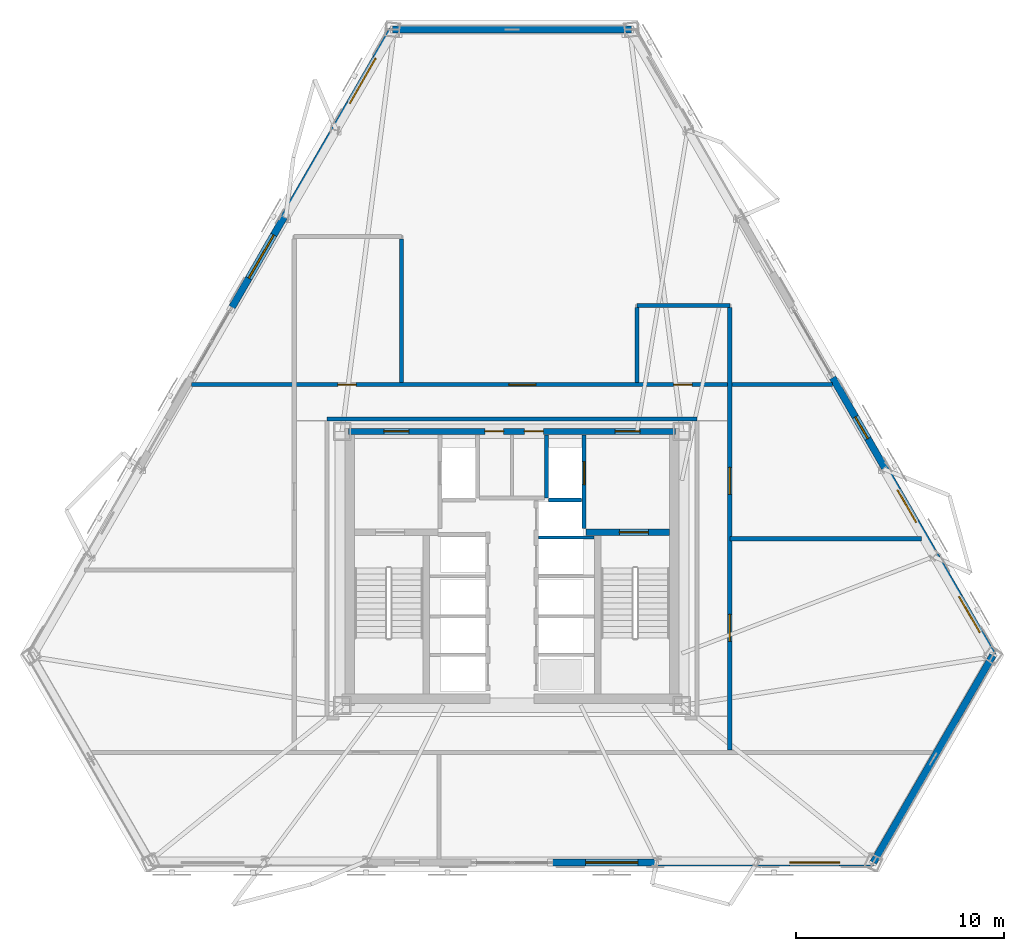
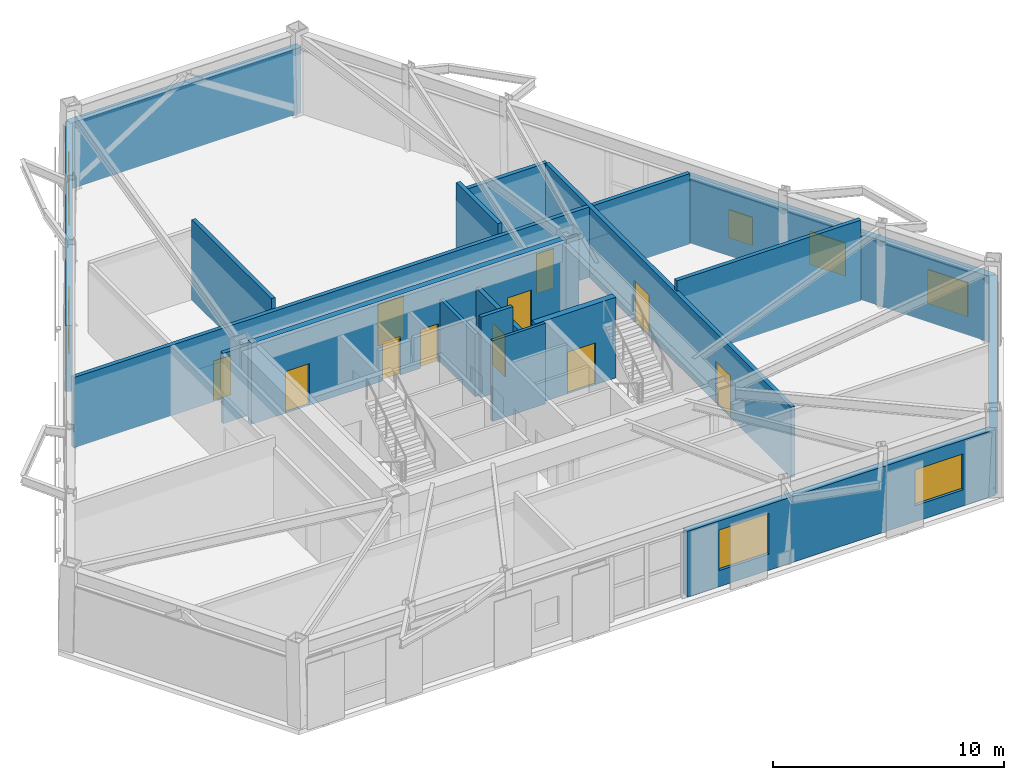
# One storey, part 9 of 14: 18 walls, 11 doors, 7 windows, 18 openings.
"""IFC4 building model written with IfcOpenShell, lengths in metres."""

from ifc_helpers import new_model, si_unit, direction, frame, frame_2d, origin, place, context, subcontext, project, spatial, rectangle, extrude, material, layer, layer_set, type_object, element, fill, save


model = new_model("IFC4")

# Units and contexts
model_context = context("Model", 3, precision=1e-05, world=origin(), true_north=direction((0.0, 1.0)))
body_context = subcontext(model_context, "Body", "Model", "MODEL_VIEW")
ifc_project = project(units=[si_unit("LENGTHUNIT", "METRE"), si_unit("AREAUNIT", "SQUARE_METRE"), si_unit("VOLUMEUNIT", "CUBIC_METRE"), si_unit("PLANEANGLEUNIT", "RADIAN"), si_unit("MASSUNIT", "GRAM", prefix="KILO")], contexts=[model_context])

# Site, building, storey
site_placement = place(None, origin())
site = spatial("IfcSite", under=ifc_project, at=site_placement, CompositionType="ELEMENT")
building_placement = place(site_placement, origin())
building = spatial("IfcBuilding", under=site, at=building_placement, Name="Oramaril Tower", CompositionType="ELEMENT")
storey_placement = place(building_placement, frame((0.0, 0.0, 107.699951171875)))
storey = spatial("IfcBuildingStorey", under=building, at=storey_placement, Name="L28", CompositionType="ELEMENT", Elevation=107.699951171875)

# Wall, openings, windows
ifc_material_1 = material(Name="Warm Cream Limestone", Category="masonry")
ifc_layer_1 = layer(ifc_material_1, 0.340087890625)
ifc_layer_set_1 = layer_set([ifc_layer_1], Name="WT-EXT34")
wall_type_1 = type_object("IfcWallType", Name="WT-EXT34", PredefinedType="SOLIDWALL", material=ifc_layer_set_1)
wall_1_placement = place(storey_placement, frame((39.449951171875, 3.45947265625, 0.0), z_axis=(0.0, 0.0, 1.0), x_axis=(1.0, 0.0, 0.0)))
wall_1 = element("IfcWall", 1, at=wall_1_placement, inside=storey, type_object=wall_type_1, Name="L28 Tower Limestone Facade Wall 2R", PredefinedType="SOLIDWALL", context=body_context, shape_type="SweptSolid", body=[
    extrude(rectangle(XDim=15.38671875, YDim=0.340087890625, at=frame_2d((7.693359375, 0.0))), origin(), (0.0, 0.0, 1.0), 3.47802734375),
])
opening_1_placement = place(wall_1_placement, frame((1.585693359375, 0.0, 0.85009765625)))
opening_1 = element("IfcOpeningElement", 2, at=opening_1_placement, cuts=wall_1, Name="Opening WN-11", PredefinedType="OPENING", context=body_context, shape_type="SweptSolid", body=[
    extrude(rectangle(XDim=2.5, YDim=2.14990234375, at=frame_2d((1.25, 1.074951171875))), frame((0.0, 0.169921875, 0.0), z_axis=(0.0, -1.0, 0.0), x_axis=(1.0, 0.0, 0.0)), (0.0, 0.0, 1.0), 0.340087890625),
])
opening_2_placement = place(wall_1_placement, frame((11.375732421875, 0.0, 0.85009765625)))
opening_2 = element("IfcOpeningElement", 3, at=opening_2_placement, cuts=wall_1, Name="Opening WN-03", PredefinedType="OPENING", context=body_context, shape_type="SweptSolid", body=[
    extrude(rectangle(XDim=2.39990234375, YDim=1.89990234375, at=frame_2d((1.199951171875, 0.949951171875))), frame((0.0, 0.169921875, 0.0), z_axis=(0.0, -1.0, 0.0), x_axis=(1.0, 0.0, 0.0)), (0.0, 0.0, 1.0), 0.340087890625),
])
ifc_material_2 = material(Name="Coastal Low-E Insulated Glass", Category="glass")
window_type_1 = type_object("IfcWindowType", Name="WNT-03", PartitioningType="SINGLE_PANEL", PredefinedType="WINDOW", material=ifc_material_2)
window_1_placement = place(opening_2_placement, origin())
window_1 = element("IfcWindow", 4, at=window_1_placement, inside=storey, type_object=window_type_1, Name="L28 Chicago Bay Window WN-03", OverallHeight=1.89990234375, OverallWidth=2.39990234375, PartitioningType="SINGLE_PANEL", PredefinedType="WINDOW", context=body_context, shape_type="SweptSolid", body=[
    extrude(rectangle(XDim=2.39990234375, YDim=1.89990234375, at=frame_2d((1.199951171875, 0.949951171875))), frame((0.0, 0.030029296875, 0.0), z_axis=(0.0, -1.0, 0.0), x_axis=(1.0, 0.0, 0.0)), (0.0, 0.0, 1.0), 0.06005859375),
])
fill(opening_2, window_1)
ifc_material_3 = material(Name="Coastal Low-E Insulated Glass", Category="glass")
window_type_2 = type_object("IfcWindowType", Name="WNT-11", PartitioningType="SINGLE_PANEL", PredefinedType="WINDOW", material=ifc_material_3)
window_2_placement = place(opening_1_placement, origin())
window_2 = element("IfcWindow", 5, at=window_2_placement, inside=storey, type_object=window_type_2, Name="L28 Chicago Bay Window WN-11", OverallHeight=2.14990234375, OverallWidth=2.5, PartitioningType="SINGLE_PANEL", PredefinedType="WINDOW", context=body_context, shape_type="SweptSolid", body=[
    extrude(rectangle(XDim=2.5, YDim=2.14990234375, at=frame_2d((1.25, 1.074951171875))), frame((0.0, 0.030029296875, 0.0), z_axis=(0.0, -1.0, 0.0), x_axis=(1.0, 0.0, 0.0)), (0.0, 0.0, 1.0), 0.06005859375),
])
fill(opening_1, window_2)

# Wall
wall_2_placement = place(storey_placement, frame((54.836669921875, 3.45947265625, 0.0), z_axis=(0.0, 0.0, 1.0), x_axis=(0.500009490851, 0.86601992417, 0.0)))
element("IfcWall", 6, at=wall_2_placement, inside=storey, type_object=wall_type_1, Name="L28 Tower Limestone Facade Wall 3M", PredefinedType="SOLIDWALL", context=body_context, shape_type="SweptSolid", body=[
    extrude(rectangle(XDim=11.485595703125, YDim=0.340087890625, at=frame_2d((5.74267578125, 0.0))), origin(), (0.0, 0.0, 1.0), 3.47802734375),
])

# Wall, openings, windows
wall_3_placement = place(storey_placement, frame((60.57958984375, 13.40625, 0.0), z_axis=(0.0, 0.0, 1.0), x_axis=(-0.499995774941, 0.86602784311, 0.0)))
wall_3 = element("IfcWall", 7, at=wall_3_placement, inside=storey, type_object=wall_type_1, Name="L28 Tower Limestone Facade Wall 4L", PredefinedType="SOLIDWALL", context=body_context, shape_type="SweptSolid", body=[
    extrude(rectangle(XDim=15.386962890625, YDim=0.340087890625, at=frame_2d((7.693359375, 0.0))), origin(), (0.0, 0.0, 1.0), 3.47802734375),
])
opening_3_placement = place(wall_3_placement, frame((1.2626953125, 0.0, 0.85009765625)))
opening_3 = element("IfcOpeningElement", 8, at=opening_3_placement, cuts=wall_3, Name="Opening WN-05", PredefinedType="OPENING", context=body_context, shape_type="SweptSolid", body=[
    extrude(rectangle(XDim=2.0, YDim=1.800048828125, at=frame_2d((1.0, 0.89990234375))), frame((0.0, 0.169921875, 0.0), z_axis=(0.0, -1.0, 0.0), x_axis=(1.0, 0.0, 0.0)), (0.0, 0.0, 1.0), 0.340087890625),
])
opening_4_placement = place(wall_3_placement, frame((7.365478515625, 0.0, 0.85009765625)))
opening_4 = element("IfcOpeningElement", 9, at=opening_4_placement, cuts=wall_3, Name="Opening WN-06", PredefinedType="OPENING", context=body_context, shape_type="SweptSolid", body=[
    extrude(rectangle(XDim=1.800048828125, YDim=1.75, at=frame_2d((0.89990234375, 0.875))), frame((0.0, 0.169921875, 0.0), z_axis=(0.0, -1.0, 0.0), x_axis=(1.0, 0.0, 0.0)), (0.0, 0.0, 1.0), 0.340087890625),
])
opening_5_placement = place(wall_3_placement, frame((12.00830078125, 0.0, 0.85009765625)))
opening_5 = element("IfcOpeningElement", 10, at=opening_5_placement, cuts=wall_3, Name="Opening WN-09", PredefinedType="OPENING", context=body_context, shape_type="SweptSolid", body=[
    extrude(rectangle(XDim=1.199951171875, YDim=1.47998046875, at=frame_2d((0.60009765625, 0.739990234375))), frame((0.0, 0.169921875, 0.0), z_axis=(0.0, -1.0, 0.0), x_axis=(1.0, 0.0, 0.0)), (0.0, 0.0, 1.0), 0.340087890625),
])
ifc_material_4 = material(Name="Coastal Low-E Insulated Glass", Category="glass")
window_type_3 = type_object("IfcWindowType", Name="WNT-05", PartitioningType="SINGLE_PANEL", PredefinedType="WINDOW", material=ifc_material_4)
window_3_placement = place(opening_3_placement, origin())
window_3 = element("IfcWindow", 11, at=window_3_placement, inside=storey, type_object=window_type_3, Name="L28 Chicago Bay Window WN-05", OverallHeight=1.800048828125, OverallWidth=2.0, PartitioningType="SINGLE_PANEL", PredefinedType="WINDOW", context=body_context, shape_type="SweptSolid", body=[
    extrude(rectangle(XDim=2.0, YDim=1.800048828125, at=frame_2d((1.0, 0.89990234375))), frame((0.0, 0.030029296875, 0.0), z_axis=(0.0, -1.0, 0.0), x_axis=(1.0, 0.0, 0.0)), (0.0, 0.0, 1.0), 0.06005859375),
])
fill(opening_3, window_3)
ifc_material_5 = material(Name="Coastal Low-E Insulated Glass", Category="glass")
window_type_4 = type_object("IfcWindowType", Name="WNT-06", PartitioningType="SINGLE_PANEL", PredefinedType="WINDOW", material=ifc_material_5)
window_4_placement = place(opening_4_placement, origin())
window_4 = element("IfcWindow", 12, at=window_4_placement, inside=storey, type_object=window_type_4, Name="L28 Chicago Bay Window WN-06", OverallHeight=1.75, OverallWidth=1.800048828125, PartitioningType="SINGLE_PANEL", PredefinedType="WINDOW", context=body_context, shape_type="SweptSolid", body=[
    extrude(rectangle(XDim=1.800048828125, YDim=1.75, at=frame_2d((0.89990234375, 0.875))), frame((0.0, 0.030029296875, 0.0), z_axis=(0.0, -1.0, 0.0), x_axis=(1.0, 0.0, 0.0)), (0.0, 0.0, 1.0), 0.06005859375),
])
fill(opening_4, window_4)
ifc_material_6 = material(Name="Coastal Low-E Insulated Glass", Category="glass")
window_type_5 = type_object("IfcWindowType", Name="WNT-09", PartitioningType="SINGLE_PANEL", PredefinedType="WINDOW", material=ifc_material_6)
window_5_placement = place(opening_5_placement, origin())
window_5 = element("IfcWindow", 13, at=window_5_placement, inside=storey, type_object=window_type_5, Name="L28 Chicago Bay Window WN-09", OverallHeight=1.47998046875, OverallWidth=1.199951171875, PartitioningType="SINGLE_PANEL", PredefinedType="WINDOW", context=body_context, shape_type="SweptSolid", body=[
    extrude(rectangle(XDim=1.199951171875, YDim=1.47998046875, at=frame_2d((0.60009765625, 0.739990234375))), frame((0.0, 0.030029296875, 0.0), z_axis=(0.0, -1.0, 0.0), x_axis=(1.0, 0.0, 0.0)), (0.0, 0.0, 1.0), 0.06005859375),
])
fill(opening_5, window_5)

# Wall
wall_4_placement = place(storey_placement, frame((43.242919921875, 43.434326171875, 0.0), z_axis=(0.0, 0.0, 1.0), x_axis=(-1.0, 0.0, 0.0)))
element("IfcWall", 14, at=wall_4_placement, inside=storey, type_object=wall_type_1, Name="L28 Tower Limestone Facade Wall 5M", PredefinedType="SOLIDWALL", context=body_context, shape_type="SweptSolid", body=[
    extrude(rectangle(XDim=11.48583984375, YDim=0.340087890625, at=frame_2d((5.742919921875, 0.0))), origin(), (0.0, 0.0, 1.0), 3.47802734375),
])

# Wall, openings, windows
wall_5_placement = place(storey_placement, frame((31.757080078125, 43.434326171875, 0.0), z_axis=(0.0, 0.0, 1.0), x_axis=(-0.499995774941, -0.86602784311, 0.0)))
wall_5 = element("IfcWall", 15, at=wall_5_placement, inside=storey, type_object=wall_type_1, Name="L28 Tower Limestone Facade Wall 6L", PredefinedType="SOLIDWALL", context=body_context, shape_type="SweptSolid", body=[
    extrude(rectangle(XDim=15.386962890625, YDim=0.340087890625, at=frame_2d((7.693359375, 0.0))), origin(), (0.0, 0.0, 1.0), 3.47802734375),
])
opening_6_placement = place(wall_5_placement, frame((1.585693359375, 0.0, 0.85009765625)))
opening_6 = element("IfcOpeningElement", 16, at=opening_6_placement, cuts=wall_5, Name="Opening WN-11", PredefinedType="OPENING", context=body_context, shape_type="SweptSolid", body=[
    extrude(rectangle(XDim=2.5, YDim=2.14990234375, at=frame_2d((1.25, 1.074951171875))), frame((0.0, 0.169921875, 0.0), z_axis=(0.0, -1.0, 0.0), x_axis=(1.0, 0.0, 0.0)), (0.0, 0.0, 1.0), 0.340087890625),
])
opening_7_placement = place(wall_5_placement, frame((11.3759765625, 0.0, 0.85009765625)))
opening_7 = element("IfcOpeningElement", 17, at=opening_7_placement, cuts=wall_5, Name="Opening WN-03", PredefinedType="OPENING", context=body_context, shape_type="SweptSolid", body=[
    extrude(rectangle(XDim=2.39990234375, YDim=1.89990234375, at=frame_2d((1.199951171875, 0.949951171875))), frame((0.0, 0.169921875, 0.0), z_axis=(0.0, -1.0, 0.0), x_axis=(1.0, 0.0, 0.0)), (0.0, 0.0, 1.0), 0.340087890625),
])
window_6_placement = place(opening_7_placement, origin())
window_6 = element("IfcWindow", 18, at=window_6_placement, inside=storey, type_object=window_type_1, Name="L28 Chicago Bay Window WN-03", OverallHeight=1.89990234375, OverallWidth=2.39990234375, PartitioningType="SINGLE_PANEL", PredefinedType="WINDOW", context=body_context, shape_type="SweptSolid", body=[
    extrude(rectangle(XDim=2.39990234375, YDim=1.89990234375, at=frame_2d((1.199951171875, 0.949951171875))), frame((0.0, 0.030029296875, 0.0), z_axis=(0.0, -1.0, 0.0), x_axis=(1.0, 0.0, 0.0)), (0.0, 0.0, 1.0), 0.06005859375),
])
fill(opening_7, window_6)
window_7_placement = place(opening_6_placement, origin())
window_7 = element("IfcWindow", 19, at=window_7_placement, inside=storey, type_object=window_type_2, Name="L28 Chicago Bay Window WN-11", OverallHeight=2.14990234375, OverallWidth=2.5, PartitioningType="SINGLE_PANEL", PredefinedType="WINDOW", context=body_context, shape_type="SweptSolid", body=[
    extrude(rectangle(XDim=2.5, YDim=2.14990234375, at=frame_2d((1.25, 1.074951171875))), frame((0.0, 0.030029296875, 0.0), z_axis=(0.0, -1.0, 0.0), x_axis=(1.0, 0.0, 0.0)), (0.0, 0.0, 1.0), 0.06005859375),
])
fill(opening_6, window_7)

# Walls
ifc_material_7 = material(Name="Acoustic Gypsum Board Partition")
ifc_layer_2 = layer(ifc_material_7, 0.139892578125)
ifc_layer_set_2 = layer_set([ifc_layer_2], Name="WT-PT14")
wall_type_2 = type_object("IfcWallType", Name="WT-PT14", PredefinedType="PARTITIONING", material=ifc_layer_set_2)
wall_6_placement = place(storey_placement, frame((38.780029296875, 19.050048828125, 0.0), z_axis=(0.0, 0.0, 1.0), x_axis=(1.0, 0.0, 0.0)))
element("IfcWall", 20, at=wall_6_placement, inside=storey, type_object=wall_type_2, Name="L28 East Lift Divider", PredefinedType="PARTITIONING", context=body_context, shape_type="SweptSolid", body=[
    extrude(rectangle(XDim=2.659912109375, YDim=0.139892578125, at=frame_2d((1.330078125, 0.0))), origin(), (0.0, 0.0, 1.0), 4.260009765625),
])
ifc_material_8 = material(Name="Autoclaved Cellular Concrete Block", Category="concrete")
ifc_layer_3 = layer(ifc_material_8, 0.179931640625)
ifc_layer_set_3 = layer_set([ifc_layer_3], Name="WT-PT18")
wall_type_3 = type_object("IfcWallType", Name="WT-PT18", PredefinedType="PARTITIONING", material=ifc_layer_set_3)
wall_7_placement = place(storey_placement, frame((39.159912109375, 20.9599609375, 0.0), z_axis=(0.0, 0.0, 1.0), x_axis=(0.0, 1.0, 0.0)))
element("IfcWall", 21, at=wall_7_placement, inside=storey, type_object=wall_type_3, Name="L28 FL-2 West Shaft Wall", PredefinedType="PARTITIONING", context=body_context, shape_type="SweptSolid", body=[
    extrude(rectangle(XDim=3.02001953125, YDim=0.179931640625, at=frame_2d((1.510009765625, 0.0))), origin(), (0.0, 0.0, 1.0), 3.300048828125),
])
wall_8_placement = place(storey_placement, frame((39.260009765625, 20.860107421875, 0.0), z_axis=(0.0, 0.0, 1.0), x_axis=(1.0, 0.0, 0.0)))
element("IfcWall", 22, at=wall_8_placement, inside=storey, type_object=wall_type_3, Name="L28 FL-2 South Shaft Wall", PredefinedType="PARTITIONING", context=body_context, shape_type="SweptSolid", body=[
    extrude(rectangle(XDim=1.580078125, YDim=0.179931640625, at=frame_2d((0.7900390625, 0.0))), origin(), (0.0, 0.0, 1.0), 4.260009765625),
])
ifc_material_9 = material(Name="Autoclaved Cellular Concrete Block", Category="concrete")
ifc_layer_4 = layer(ifc_material_9, 0.199951171875)
ifc_layer_set_4 = layer_set([ifc_layer_4], Name="WT-PT20")
wall_type_4 = type_object("IfcWallType", Name="WT-PT20", PredefinedType="PARTITIONING", material=ifc_layer_set_4)
wall_9_placement = place(storey_placement, frame((47.949951171875, 19.0, 0.0), z_axis=(0.0, 0.0, 1.0), x_axis=(1.0, 0.0, 0.0)))
element("IfcWall", 23, at=wall_9_placement, inside=storey, type_object=wall_type_4, Name="L28 Interior Partition PT-20", PredefinedType="PARTITIONING", context=body_context, shape_type="SweptSolid", body=[
    extrude(rectangle(XDim=9.19921875, YDim=0.199951171875, at=frame_2d((4.599609375, 0.0))), origin(), (0.0, 0.0, 1.0), 4.260009765625),
])
wall_10_placement = place(storey_placement, frame((28.6201171875, 24.75, 0.0), z_axis=(0.0, 0.0, 1.0), x_axis=(1.0, 0.0, 0.0)))
element("IfcWall", 24, at=wall_10_placement, inside=storey, type_object=wall_type_4, Name="L28 Interior Partition PT-20", PredefinedType="PARTITIONING", context=body_context, shape_type="SweptSolid", body=[
    extrude(rectangle(XDim=17.759765625, YDim=0.199951171875, at=frame_2d((8.8798828125, 0.0))), origin(), (0.0, 0.0, 1.0), 3.714111328125),
])

# Wall, openings, doors
wall_11_placement = place(storey_placement, frame((22.123291015625, 26.39990234375, 0.0), z_axis=(0.0, 0.0, 1.0), x_axis=(1.0, 0.0, 0.0)))
wall_11 = element("IfcWall", 25, at=wall_11_placement, inside=storey, type_object=wall_type_4, Name="L28 Interior Partition PT-20", PredefinedType="PARTITIONING", context=body_context, shape_type="SweptSolid", body=[
    extrude(rectangle(XDim=30.75341796875, YDim=0.199951171875, at=frame_2d((15.376708984375, 0.0))), origin(), (0.0, 0.0, 1.0), 3.714111328125),
])
opening_8_placement = place(wall_11_placement, frame((7.01513671875, 0.0, 0.0)))
opening_8 = element("IfcOpeningElement", 26, at=opening_8_placement, cuts=wall_11, Name="Opening D-L28-03", PredefinedType="OPENING", context=body_context, shape_type="SweptSolid", body=[
    extrude(rectangle(XDim=0.8798828125, YDim=2.080078125, at=frame_2d((0.43994140625, 1.0400390625))), frame((0.0, 0.10009765625, 0.0), z_axis=(0.0, -1.0, 0.0), x_axis=(1.0, 0.0, 0.0)), (0.0, 0.0, 1.0), 0.199951171875),
])
opening_9_placement = place(wall_11_placement, frame((15.2255859375, 0.0, 0.0)))
opening_9 = element("IfcOpeningElement", 27, at=opening_9_placement, cuts=wall_11, Name="Opening D-L28-04", PredefinedType="OPENING", context=body_context, shape_type="SweptSolid", body=[
    extrude(rectangle(XDim=1.300048828125, YDim=2.199951171875, at=frame_2d((0.64990234375, 1.10009765625))), frame((0.0, 0.10009765625, 0.0), z_axis=(0.0, -1.0, 0.0), x_axis=(1.0, 0.0, 0.0)), (0.0, 0.0, 1.0), 0.199951171875),
])
opening_10_placement = place(wall_11_placement, frame((23.1357421875, 0.0, 0.0)))
opening_10 = element("IfcOpeningElement", 28, at=opening_10_placement, cuts=wall_11, Name="Opening D-L28-05", PredefinedType="OPENING", context=body_context, shape_type="SweptSolid", body=[
    extrude(rectangle(XDim=0.8798828125, YDim=2.080078125, at=frame_2d((0.43994140625, 1.0400390625))), frame((0.0, 0.10009765625, 0.0), z_axis=(0.0, -1.0, 0.0), x_axis=(1.0, 0.0, 0.0)), (0.0, 0.0, 1.0), 0.199951171875),
])
ifc_material_10 = material(Name="FSC Brazilian Freijo Hardwood", Category="wood")
door_type_1 = type_object("IfcDoorType", Name="DT-BATH", OperationType="NOTDEFINED", PredefinedType="DOOR", material=ifc_material_10)
door_1_placement = place(opening_8_placement, origin())
door_1 = element("IfcDoor", 29, at=door_1_placement, inside=storey, type_object=door_type_1, Name="L28 L28 Sky Male WC Door D-L28-03", OperationType="SINGLE_SWING_LEFT", OverallHeight=2.080078125, OverallWidth=0.8798828125, PredefinedType="DOOR", context=body_context, shape_type="SweptSolid", body=[
    extrude(rectangle(XDim=0.8798828125, YDim=2.080078125, at=frame_2d((0.43994140625, 1.0400390625))), frame((0.0, 0.02490234375, 0.0), z_axis=(0.0, -1.0, 0.0), x_axis=(1.0, 0.0, 0.0)), (0.0, 0.0, 1.0), 0.050048828125),
])
fill(opening_8, door_1)
door_2_placement = place(opening_10_placement, origin())
door_2 = element("IfcDoor", 30, at=door_2_placement, inside=storey, type_object=door_type_1, Name="L28 L28 Sky Accessible WC Door D-L28-05", OperationType="SINGLE_SWING_LEFT", OverallHeight=2.080078125, OverallWidth=0.8798828125, PredefinedType="DOOR", context=body_context, shape_type="SweptSolid", body=[
    extrude(rectangle(XDim=0.8798828125, YDim=2.080078125, at=frame_2d((0.43994140625, 1.0400390625))), frame((0.0, 0.02490234375, 0.0), z_axis=(0.0, -1.0, 0.0), x_axis=(1.0, 0.0, 0.0)), (0.0, 0.0, 1.0), 0.050048828125),
])
fill(opening_10, door_2)
ifc_material_11 = material(Name="FSC Brazilian Freijo Hardwood", Category="wood")
door_type_2 = type_object("IfcDoorType", Name="DT-COM", OperationType="NOTDEFINED", PredefinedType="DOOR", material=ifc_material_11)
door_3_placement = place(opening_9_placement, origin())
door_3 = element("IfcDoor", 31, at=door_3_placement, inside=storey, type_object=door_type_2, Name="L28 L28 Botanical Sky Conservatory Gallery Door D-L28-04", OperationType="SINGLE_SWING_RIGHT", OverallHeight=2.199951171875, OverallWidth=1.300048828125, PredefinedType="DOOR", context=body_context, shape_type="SweptSolid", body=[
    extrude(rectangle(XDim=1.300048828125, YDim=2.199951171875, at=frame_2d((0.64990234375, 1.10009765625))), frame((0.0, 0.02490234375, 0.0), z_axis=(0.0, -1.0, 0.0), x_axis=(1.0, 0.0, 0.0)), (0.0, 0.0, 1.0), 0.050048828125),
])
fill(opening_9, door_3)

# Walls
wall_12_placement = place(storey_placement, frame((43.5, 30.199951171875, 0.0), z_axis=(0.0, 0.0, 1.0), x_axis=(1.0, 0.0, 0.0)))
element("IfcWall", 32, at=wall_12_placement, inside=storey, type_object=wall_type_4, Name="L28 Interior Partition PT-20", PredefinedType="PARTITIONING", context=body_context, shape_type="SweptSolid", body=[
    extrude(rectangle(XDim=4.449951171875, YDim=0.199951171875, at=frame_2d((2.22509765625, 0.0))), origin(), (0.0, 0.0, 1.0), 3.714111328125),
])
wall_13_placement = place(storey_placement, frame((32.199951171875, 26.50390625, 0.0), z_axis=(0.0, 0.0, 1.0), x_axis=(0.0, 1.0, 0.0)))
element("IfcWall", 33, at=wall_13_placement, inside=storey, type_object=wall_type_4, Name="L28 Interior Partition PT-20", PredefinedType="PARTITIONING", context=body_context, shape_type="SweptSolid", body=[
    extrude(rectangle(XDim=6.89208984375, YDim=0.199951171875, at=frame_2d((3.446044921875, 0.0))), origin(), (0.0, 0.0, 1.0), 4.260009765625),
])
wall_14_placement = place(storey_placement, frame((43.5, 26.50390625, 0.0), z_axis=(0.0, 0.0, 1.0), x_axis=(0.0, 1.0, 0.0)))
element("IfcWall", 34, at=wall_14_placement, inside=storey, type_object=wall_type_4, Name="L28 Interior Partition PT-20", PredefinedType="PARTITIONING", context=body_context, shape_type="SweptSolid", body=[
    extrude(rectangle(XDim=3.592041015625, YDim=0.199951171875, at=frame_2d((1.7958984375, 0.0))), origin(), (0.0, 0.0, 1.0), 4.260009765625),
])

# Wall, openings, doors
wall_15_placement = place(storey_placement, frame((47.949951171875, 8.85400390625, 0.0), z_axis=(0.0, 0.0, 1.0), x_axis=(0.0, 1.0, 0.0)))
wall_15 = element("IfcWall", 35, at=wall_15_placement, inside=storey, type_object=wall_type_4, Name="L28 Interior Partition PT-20", PredefinedType="PARTITIONING", context=body_context, shape_type="SweptSolid", body=[
    extrude(rectangle(XDim=21.241943359375, YDim=0.199951171875, at=frame_2d((10.62109375, 0.0))), origin(), (0.0, 0.0, 1.0), 3.714111328125),
])
opening_11_placement = place(wall_15_placement, frame((5.221923828125, 0.0, 0.0)))
opening_11 = element("IfcOpeningElement", 36, at=opening_11_placement, cuts=wall_15, Name="Opening D-L28-08", PredefinedType="OPENING", context=body_context, shape_type="SweptSolid", body=[
    extrude(rectangle(XDim=1.300048828125, YDim=2.199951171875, at=frame_2d((0.64990234375, 1.10009765625))), frame((0.0, 0.10009765625, 0.0), z_axis=(0.0, -1.0, 0.0), x_axis=(1.0, 0.0, 0.0)), (0.0, 0.0, 1.0), 0.199951171875),
])
opening_12_placement = place(wall_15_placement, frame((12.272216796875, 0.0, 0.0)))
opening_12 = element("IfcOpeningElement", 37, at=opening_12_placement, cuts=wall_15, Name="Opening D-L28-09", PredefinedType="OPENING", context=body_context, shape_type="SweptSolid", body=[
    extrude(rectangle(XDim=1.300048828125, YDim=2.199951171875, at=frame_2d((0.64990234375, 1.10009765625))), frame((0.0, 0.10009765625, 0.0), z_axis=(0.0, -1.0, 0.0), x_axis=(1.0, 0.0, 0.0)), (0.0, 0.0, 1.0), 0.199951171875),
])
door_4_placement = place(opening_11_placement, origin())
door_4 = element("IfcDoor", 38, at=door_4_placement, inside=storey, type_object=door_type_2, Name="L28 L28 Sky Boardroom Meeting Suite Door D-L28-08", OperationType="SINGLE_SWING_RIGHT", OverallHeight=2.199951171875, OverallWidth=1.300048828125, PredefinedType="DOOR", context=body_context, shape_type="SweptSolid", body=[
    extrude(rectangle(XDim=1.300048828125, YDim=2.199951171875, at=frame_2d((0.64990234375, 1.10009765625))), frame((0.0, 0.02490234375, 0.0), z_axis=(0.0, -1.0, 0.0), x_axis=(1.0, 0.0, 0.0)), (0.0, 0.0, 1.0), 0.050048828125),
])
fill(opening_11, door_4)
door_5_placement = place(opening_12_placement, origin())
door_5 = element("IfcDoor", 39, at=door_5_placement, inside=storey, type_object=door_type_2, Name="L28 L28 Sky Co-Working Salon Door D-L28-09", OperationType="SINGLE_SWING_LEFT", OverallHeight=2.199951171875, OverallWidth=1.300048828125, PredefinedType="DOOR", context=body_context, shape_type="SweptSolid", body=[
    extrude(rectangle(XDim=1.300048828125, YDim=2.199951171875, at=frame_2d((0.64990234375, 1.10009765625))), frame((0.0, 0.02490234375, 0.0), z_axis=(0.0, -1.0, 0.0), x_axis=(1.0, 0.0, 0.0)), (0.0, 0.0, 1.0), 0.050048828125),
])
fill(opening_12, door_5)

ifc_material_12 = material(Name="Concrete C50/60", Category="concrete")
ifc_layer_5 = layer(ifc_material_12, 0.300048828125)
ifc_layer_set_5 = layer_set([ifc_layer_5], Name="WT-SH30")
wall_type_5 = type_object("IfcWallType", Name="WT-SH30", PredefinedType="SHEAR", material=ifc_layer_set_5)
wall_16_placement = place(storey_placement, frame((29.64990234375, 24.14990234375, 0.0), z_axis=(0.0, 0.0, 1.0), x_axis=(1.0, 0.0, 0.0)))
wall_16 = element("IfcWall", 40, at=wall_16_placement, inside=storey, type_object=wall_type_5, Name="L28 Core Shear Wall CW-N", PredefinedType="SHEAR", context=body_context, shape_type="SweptSolid", body=[
    extrude(rectangle(XDim=15.7001953125, YDim=0.300048828125, at=frame_2d((7.85009765625, 0.0))), origin(), (0.0, 0.0, 1.0), 4.260009765625),
])
opening_13_placement = place(wall_16_placement, frame((1.699951171875, 0.0, 0.0)))
opening_13 = element("IfcOpeningElement", 41, at=opening_13_placement, cuts=wall_16, Name="Opening D-L28-FFL1", PredefinedType="OPENING", context=body_context, shape_type="SweptSolid", body=[
    extrude(rectangle(XDim=1.199951171875, YDim=2.199951171875, at=frame_2d((0.60009765625, 1.10009765625))), frame((0.0, 0.14990234375, 0.0), z_axis=(0.0, -1.0, 0.0), x_axis=(1.0, 0.0, 0.0)), (0.0, 0.0, 1.0), 0.300048828125),
])
opening_14_placement = place(wall_16_placement, frame((12.800048828125, 0.0, 0.0)))
opening_14 = element("IfcOpeningElement", 42, at=opening_14_placement, cuts=wall_16, Name="Opening D-L28-FFL2", PredefinedType="OPENING", context=body_context, shape_type="SweptSolid", body=[
    extrude(rectangle(XDim=1.199951171875, YDim=2.199951171875, at=frame_2d((0.60009765625, 1.10009765625))), frame((0.0, 0.14990234375, 0.0), z_axis=(0.0, -1.0, 0.0), x_axis=(1.0, 0.0, 0.0)), (0.0, 0.0, 1.0), 0.300048828125),
])
opening_15_placement = place(wall_16_placement, frame((6.550048828125, 0.0, 0.0)))
opening_15 = element("IfcOpeningElement", 43, at=opening_15_placement, cuts=wall_16, Name="Opening D-L28-SV1", PredefinedType="OPENING", context=body_context, shape_type="SweptSolid", body=[
    extrude(rectangle(XDim=0.89990234375, YDim=2.050048828125, at=frame_2d((0.449951171875, 1.02490234375))), frame((0.0, 0.14990234375, 0.0), z_axis=(0.0, -1.0, 0.0), x_axis=(1.0, 0.0, 0.0)), (0.0, 0.0, 1.0), 0.300048828125),
])
opening_16_placement = place(wall_16_placement, frame((8.449951171875, 0.0, 0.0)))
opening_16 = element("IfcOpeningElement", 44, at=opening_16_placement, cuts=wall_16, Name="Opening D-L28-SV2", PredefinedType="OPENING", context=body_context, shape_type="SweptSolid", body=[
    extrude(rectangle(XDim=0.89990234375, YDim=2.050048828125, at=frame_2d((0.449951171875, 1.02490234375))), frame((0.0, 0.14990234375, 0.0), z_axis=(0.0, -1.0, 0.0), x_axis=(1.0, 0.0, 0.0)), (0.0, 0.0, 1.0), 0.300048828125),
])
ifc_material_13 = material(Name="Painted Galvanised Steel", Category="steel")
door_type_3 = type_object("IfcDoorType", Name="DT-FFL", OperationType="NOTDEFINED", PredefinedType="DOOR", material=ifc_material_13)
door_6_placement = place(opening_13_placement, origin())
door_6 = element("IfcDoor", 45, at=door_6_placement, inside=storey, type_object=door_type_3, Name="L28 Firefighting Lobby 1 Fire Door", OperationType="SINGLE_SWING_LEFT", OverallHeight=2.199951171875, OverallWidth=1.199951171875, PredefinedType="DOOR", context=body_context, shape_type="SweptSolid", body=[
    extrude(rectangle(XDim=1.199951171875, YDim=2.199951171875, at=frame_2d((0.60009765625, 1.10009765625))), frame((0.0, 0.02490234375, 0.0), z_axis=(0.0, -1.0, 0.0), x_axis=(1.0, 0.0, 0.0)), (0.0, 0.0, 1.0), 0.050048828125),
])
fill(opening_13, door_6)
door_7_placement = place(opening_14_placement, origin())
door_7 = element("IfcDoor", 46, at=door_7_placement, inside=storey, type_object=door_type_3, Name="L28 Firefighting Lobby 2 Fire Door", OperationType="SINGLE_SWING_RIGHT", OverallHeight=2.199951171875, OverallWidth=1.199951171875, PredefinedType="DOOR", context=body_context, shape_type="SweptSolid", body=[
    extrude(rectangle(XDim=1.199951171875, YDim=2.199951171875, at=frame_2d((0.60009765625, 1.10009765625))), frame((0.0, 0.02490234375, 0.0), z_axis=(0.0, -1.0, 0.0), x_axis=(1.0, 0.0, 0.0)), (0.0, 0.0, 1.0), 0.050048828125),
])
fill(opening_14, door_7)
ifc_material_14 = material(Name="Painted Galvanised Steel", Category="steel")
door_type_4 = type_object("IfcDoorType", Name="DT-SVC", OperationType="NOTDEFINED", PredefinedType="DOOR", material=ifc_material_14)
door_8_placement = place(opening_15_placement, origin())
door_8 = element("IfcDoor", 47, at=door_8_placement, inside=storey, type_object=door_type_4, Name="L28 Core Service Store 1 Door", OperationType="SINGLE_SWING_LEFT", OverallHeight=2.050048828125, OverallWidth=0.89990234375, PredefinedType="DOOR", context=body_context, shape_type="SweptSolid", body=[
    extrude(rectangle(XDim=0.89990234375, YDim=2.050048828125, at=frame_2d((0.449951171875, 1.02490234375))), frame((0.0, 0.02490234375, 0.0), z_axis=(0.0, -1.0, 0.0), x_axis=(1.0, 0.0, 0.0)), (0.0, 0.0, 1.0), 0.050048828125),
])
fill(opening_15, door_8)
door_9_placement = place(opening_16_placement, origin())
door_9 = element("IfcDoor", 48, at=door_9_placement, inside=storey, type_object=door_type_4, Name="L28 Core Service Store 2 Door", OperationType="SINGLE_SWING_RIGHT", OverallHeight=2.050048828125, OverallWidth=0.89990234375, PredefinedType="DOOR", context=body_context, shape_type="SweptSolid", body=[
    extrude(rectangle(XDim=0.89990234375, YDim=2.050048828125, at=frame_2d((0.449951171875, 1.02490234375))), frame((0.0, 0.02490234375, 0.0), z_axis=(0.0, -1.0, 0.0), x_axis=(1.0, 0.0, 0.0)), (0.0, 0.0, 1.0), 0.050048828125),
])
fill(opening_16, door_9)

# Wall, opening, door
wall_17_placement = place(storey_placement, frame((41.050048828125, 19.31005859375, 0.0), z_axis=(0.0, 0.0, 1.0), x_axis=(1.0, 0.0, 0.0)))
wall_17 = element("IfcWall", 49, at=wall_17_placement, inside=storey, type_object=wall_type_5, Name="L28 Core Shear Wall CW-ST2N", PredefinedType="SHEAR", context=body_context, shape_type="SweptSolid", body=[
    extrude(rectangle(XDim=4.010009765625, YDim=0.300048828125, at=frame_2d((2.0048828125, 0.0))), origin(), (0.0, 0.0, 1.0), 4.260009765625),
])
opening_17_placement = place(wall_17_placement, frame((1.60009765625, 0.0, 0.0)))
opening_17 = element("IfcOpeningElement", 50, at=opening_17_placement, cuts=wall_17, Name="Opening D-L28-ST2", PredefinedType="OPENING", context=body_context, shape_type="SweptSolid", body=[
    extrude(rectangle(XDim=1.39990234375, YDim=2.199951171875, at=frame_2d((0.699951171875, 1.10009765625))), frame((0.0, 0.14990234375, 0.0), z_axis=(0.0, -1.0, 0.0), x_axis=(1.0, 0.0, 0.0)), (0.0, 0.0, 1.0), 0.300048828125),
])
ifc_material_15 = material(Name="Painted Galvanised Steel", Category="steel")
door_type_5 = type_object("IfcDoorType", Name="DT-ST", OperationType="NOTDEFINED", PredefinedType="DOOR", material=ifc_material_15)
door_10_placement = place(opening_17_placement, origin())
door_10 = element("IfcDoor", 51, at=door_10_placement, inside=storey, type_object=door_type_5, Name="L28 Protected Stair ST-2 Fire Door", OperationType="SINGLE_SWING_RIGHT", OverallHeight=2.199951171875, OverallWidth=1.39990234375, PredefinedType="DOOR", context=body_context, shape_type="SweptSolid", body=[
    extrude(rectangle(XDim=1.39990234375, YDim=2.199951171875, at=frame_2d((0.699951171875, 1.10009765625))), frame((0.0, 0.02490234375, 0.0), z_axis=(0.0, -1.0, 0.0), x_axis=(1.0, 0.0, 0.0)), (0.0, 0.0, 1.0), 0.050048828125),
])
fill(opening_17, door_10)

ifc_material_16 = material(Name="Autoclaved Cellular Concrete Block", Category="concrete")
ifc_layer_6 = layer(ifc_material_16, 0.199951171875)
ifc_layer_set_6 = layer_set([ifc_layer_6], Name="WT-SHF20")
wall_type_6 = type_object("IfcWallType", Name="WT-SHF20", PredefinedType="PARTITIONING", material=ifc_layer_set_6)
wall_18_placement = place(storey_placement, frame((40.9599609375, 19.47998046875, 0.0), z_axis=(0.0, 0.0, 1.0), x_axis=(0.0, 1.0, 0.0)))
wall_18 = element("IfcWall", 52, at=wall_18_placement, inside=storey, type_object=wall_type_6, Name="L28 FL-2 Lobby Shaft Wall", PredefinedType="PARTITIONING", context=body_context, shape_type="SweptSolid", body=[
    extrude(rectangle(XDim=4.5, YDim=0.199951171875, at=frame_2d((2.25, 0.0))), origin(), (0.0, 0.0, 1.0), 3.300048828125),
])
opening_18_placement = place(wall_18_placement, frame((2.1201171875, 0.0, 0.0)))
opening_18 = element("IfcOpeningElement", 53, at=opening_18_placement, cuts=wall_18, Name="Opening LD-L28-FL-2", PredefinedType="OPENING", context=body_context, shape_type="SweptSolid", body=[
    extrude(rectangle(XDim=1.10009765625, YDim=2.199951171875, at=frame_2d((0.550048828125, 1.10009765625))), frame((0.0, 0.10009765625, 0.0), z_axis=(0.0, -1.0, 0.0), x_axis=(1.0, 0.0, 0.0)), (0.0, 0.0, 1.0), 0.199951171875),
])
ifc_material_17 = material(Name="Stainless Steel 316L", Category="steel")
door_type_6 = type_object("IfcDoorType", Name="DT-LD1", OperationType="NOTDEFINED", PredefinedType="DOOR", material=ifc_material_17)
door_11_placement = place(opening_18_placement, origin())
door_11 = element("IfcDoor", 54, at=door_11_placement, inside=storey, type_object=door_type_6, Name="L28 Lift FL-2 Sliding Landing Door", OperationType="SLIDING_TO_RIGHT", OverallHeight=2.199951171875, OverallWidth=1.10009765625, PredefinedType="DOOR", context=body_context, shape_type="SweptSolid", body=[
    extrude(rectangle(XDim=1.10009765625, YDim=2.199951171875, at=frame_2d((0.550048828125, 1.10009765625))), frame((0.0, 0.02490234375, 0.0), z_axis=(0.0, -1.0, 0.0), x_axis=(1.0, 0.0, 0.0)), (0.0, 0.0, 1.0), 0.050048828125),
])
fill(opening_18, door_11)

save(model, "model.ifc")
